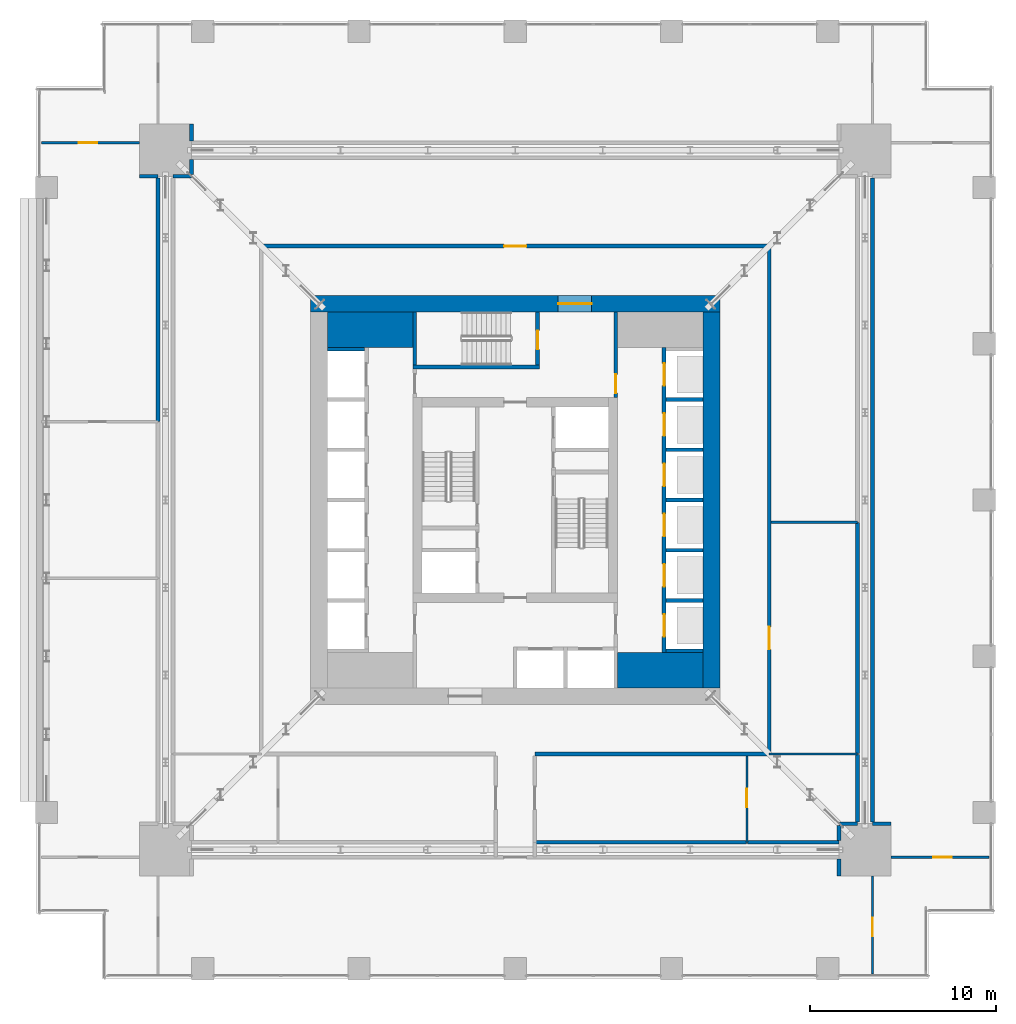
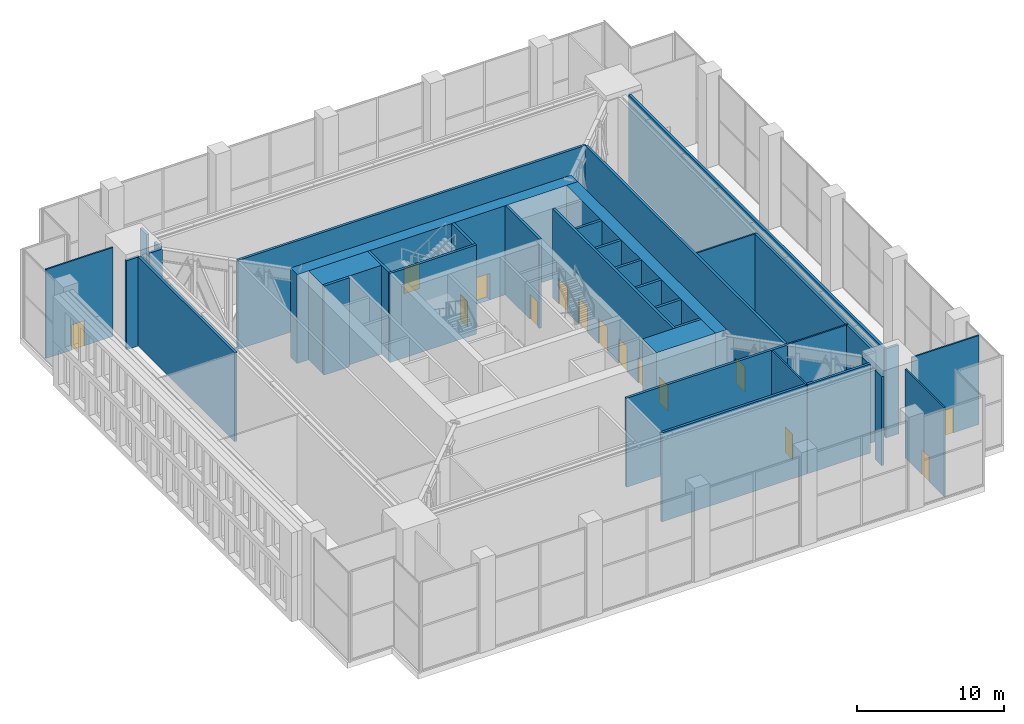
# One storey, part 17 of 21: 39 walls, 15 doors, 15 openings.
"""IFC4 building model written with IfcOpenShell, lengths in metres."""

from ifc_helpers import new_model, si_unit, direction, frame, frame_2d, origin, place, context, subcontext, project, spatial, rectangle, extrude, material, layer, layer_set, type_object, element, fill, save


model = new_model("IFC4")

# Units and contexts
model_context = context("Model", 3, precision=1e-05, world=origin(), true_north=direction((0.0, 1.0)))
body_context = subcontext(model_context, "Body", "Model", "MODEL_VIEW")
ifc_project = project(units=[si_unit("LENGTHUNIT", "METRE"), si_unit("AREAUNIT", "SQUARE_METRE"), si_unit("VOLUMEUNIT", "CUBIC_METRE"), si_unit("PLANEANGLEUNIT", "RADIAN"), si_unit("MASSUNIT", "GRAM", prefix="KILO")], contexts=[model_context])

# Site, building, storey
site_placement = place(None, origin())
site = spatial("IfcSite", under=ifc_project, at=site_placement, CompositionType="ELEMENT")
building_placement = place(site_placement, origin())
building = spatial("IfcBuilding", under=site, at=building_placement, Name="Khepri Terraces", CompositionType="ELEMENT")
storey_placement = place(building_placement, frame((0.0, 0.0, 126.0)))
storey = spatial("IfcBuildingStorey", under=building, at=storey_placement, Name="L30", CompositionType="ELEMENT", Elevation=126.0)

# Walls
ifc_material_1 = material(Name="Concrete C70/85", Category="concrete")
ifc_layer_1 = layer(ifc_material_1, 1.89990234375, Name="Concrete C70/85", Category="concrete")
ifc_layer_set_1 = layer_set([ifc_layer_1], Name="Concrete C70/85")
wall_type_1 = type_object("IfcWallType", Name="Core wall 1900 C70/85", PredefinedType="SHEAR", material=ifc_layer_set_1)
for number, where, z_axis, x_axis, name in (
    (1, (5.5, -9.14990234375, 0.0), (0.0, 0.0, 1.0), (1.0, 0.0, 0.0), "Core wall PR02 L30"),
    (2, (-10.10009765625, 9.14990234375, 0.0), (0.0, 0.0, 1.0), (1.0, 0.0, 0.0), "Core wall PR03 L30"),
):
    element("IfcWall", number, at=place(storey_placement, frame(where, z_axis=z_axis, x_axis=x_axis)), inside=storey, type_object=wall_type_1, Name=name, PredefinedType="SHEAR", context=body_context, shape_type="SweptSolid", body=[
        extrude(rectangle(XDim=4.60009765625, YDim=1.89990234375, at=frame_2d((2.300048828125, 0.0))), origin(), (0.0, 0.0, 1.0), 7.3798828125),
    ])
ifc_layer_2 = layer(ifc_material_1, 0.199951171875, Name="Concrete C70/85", Category="concrete")
ifc_layer_set_2 = layer_set([ifc_layer_2], Name="Concrete C70/85")
wall_type_2 = type_object("IfcWallType", Name="Core wall 200 C70/85", PredefinedType="SHEAR", material=ifc_layer_set_2)
wall_1_placement = place(storey_placement, frame((-5.5, 7.14990234375, 0.0), z_axis=(0.0, 0.0, 1.0), x_axis=(1.0, 0.0, 0.0)))
element("IfcWall", 3, at=wall_1_placement, inside=storey, type_object=wall_type_2, Name="Core wall ST05 L30", PredefinedType="SHEAR", context=body_context, shape_type="SweptSolid", body=[
    extrude(rectangle(XDim=6.800048828125, YDim=0.199951171875, at=frame_2d((3.39990234375, 0.0))), origin(), (0.0, 0.0, 1.0), 7.3798828125),
])
wall_2_placement = place(storey_placement, frame((-5.39990234375, 7.25, 0.0), z_axis=(0.0, 0.0, 1.0), x_axis=(0.0, 1.0, 0.0)))
element("IfcWall", 4, at=wall_2_placement, inside=storey, type_object=wall_type_2, Name="Core wall ST06 L30", PredefinedType="SHEAR", context=body_context, shape_type="SweptSolid", body=[
    extrude(rectangle(XDim=2.85009765625, YDim=0.199951171875, at=frame_2d((1.425048828125, 0.0))), origin(), (0.0, 0.0, 1.0), 7.3798828125),
])

# Wall, opening, door
wall_3_placement = place(storey_placement, frame((1.199951171875, 7.25, 0.0), z_axis=(0.0, 0.0, 1.0), x_axis=(0.0, 1.0, 0.0)))
wall_3 = element("IfcWall", 5, at=wall_3_placement, inside=storey, type_object=wall_type_2, Name="Core wall ST07 L30", PredefinedType="SHEAR", context=body_context, shape_type="SweptSolid", body=[
    extrude(rectangle(XDim=2.85009765625, YDim=0.199951171875, at=frame_2d((1.425048828125, 0.0))), origin(), (0.0, 0.0, 1.0), 7.3798828125),
])
opening_1_placement = place(wall_3_placement, frame((0.85009765625, 0.0, 0.0)))
opening_1 = element("IfcOpeningElement", 6, at=opening_1_placement, cuts=wall_3, Name="Opening L30-C23", PredefinedType="OPENING", context=body_context, shape_type="SweptSolid", body=[
    extrude(rectangle(XDim=1.0, YDim=2.10009765625, at=frame_2d((0.5, 1.050048828125))), frame((0.0, 0.10986328125, 0.0), z_axis=(0.0, -1.0, 0.0), x_axis=(1.0, 0.0, 0.0)), (0.0, 0.0, 1.0), 0.219970703125),
])
ifc_material_2 = material(Name="Painted steel", Category="steel")
door_type_1 = type_object("IfcDoorType", Name="DR-CORE-STAIR-1000", OperationType="NOTDEFINED", PredefinedType="DOOR", material=ifc_material_2)
door_1_placement = place(opening_1_placement, origin())
door_1 = element("IfcDoor", 7, at=door_1_placement, inside=storey, type_object=door_type_1, Name="Stair door L30-C23", OperationType="SINGLE_SWING_LEFT", OverallHeight=2.10009765625, OverallWidth=1.0, PredefinedType="DOOR", context=body_context, shape_type="SweptSolid", body=[
    extrude(rectangle(XDim=1.0, YDim=2.10009765625, at=frame_2d((0.5, 1.050048828125))), frame((0.0, 0.02490234375, 0.0), z_axis=(0.0, -1.0, 0.0), x_axis=(1.0, 0.0, 0.0)), (0.0, 0.0, 1.0), 0.050048828125),
])
fill(opening_1, door_1)

# Wall, openings, doors
wall_4_placement = place(storey_placement, frame((8.0, -8.199951171875, 0.0), z_axis=(0.0, 0.0, 1.0), x_axis=(0.0, 1.0, 0.0)))
wall_4 = element("IfcWall", 8, at=wall_4_placement, inside=storey, type_object=wall_type_2, Name="Core wall SH05 L30", PredefinedType="SHEAR", context=body_context, shape_type="SweptSolid", body=[
    extrude(rectangle(XDim=16.39990234375, YDim=0.199951171875, at=frame_2d((8.199951171875, 0.0))), origin(), (0.0, 0.0, 1.0), 7.3798828125),
])
opening_2_placement = place(wall_4_placement, frame((0.85009765625, 0.0, 0.0)))
opening_2 = element("IfcOpeningElement", 9, at=opening_2_placement, cuts=wall_4, Name="Opening L30-C02", PredefinedType="OPENING", context=body_context, shape_type="SweptSolid", body=[
    extrude(rectangle(XDim=1.199951171875, YDim=2.10009765625, at=frame_2d((0.60009765625, 1.050048828125))), frame((0.0, 0.10986328125, 0.0), z_axis=(0.0, -1.0, 0.0), x_axis=(1.0, 0.0, 0.0)), (0.0, 0.0, 1.0), 0.219970703125),
])
opening_3_placement = place(wall_4_placement, frame((3.550048828125, 0.0, 0.0)))
opening_3 = element("IfcOpeningElement", 10, at=opening_3_placement, cuts=wall_4, Name="Opening L30-C04", PredefinedType="OPENING", context=body_context, shape_type="SweptSolid", body=[
    extrude(rectangle(XDim=1.199951171875, YDim=2.10009765625, at=frame_2d((0.60009765625, 1.050048828125))), frame((0.0, 0.10986328125, 0.0), z_axis=(0.0, -1.0, 0.0), x_axis=(1.0, 0.0, 0.0)), (0.0, 0.0, 1.0), 0.219970703125),
])
opening_4_placement = place(wall_4_placement, frame((6.25, 0.0, 0.0)))
opening_4 = element("IfcOpeningElement", 11, at=opening_4_placement, cuts=wall_4, Name="Opening L30-C06", PredefinedType="OPENING", context=body_context, shape_type="SweptSolid", body=[
    extrude(rectangle(XDim=1.199951171875, YDim=2.10009765625, at=frame_2d((0.60009765625, 1.050048828125))), frame((0.0, 0.10986328125, 0.0), z_axis=(0.0, -1.0, 0.0), x_axis=(1.0, 0.0, 0.0)), (0.0, 0.0, 1.0), 0.219970703125),
])
opening_5_placement = place(wall_4_placement, frame((8.949951171875, 0.0, 0.0)))
opening_5 = element("IfcOpeningElement", 12, at=opening_5_placement, cuts=wall_4, Name="Opening L30-C08", PredefinedType="OPENING", context=body_context, shape_type="SweptSolid", body=[
    extrude(rectangle(XDim=1.199951171875, YDim=2.10009765625, at=frame_2d((0.60009765625, 1.050048828125))), frame((0.0, 0.10986328125, 0.0), z_axis=(0.0, -1.0, 0.0), x_axis=(1.0, 0.0, 0.0)), (0.0, 0.0, 1.0), 0.219970703125),
])
opening_6_placement = place(wall_4_placement, frame((11.64990234375, 0.0, 0.0)))
opening_6 = element("IfcOpeningElement", 13, at=opening_6_placement, cuts=wall_4, Name="Opening L30-C10", PredefinedType="OPENING", context=body_context, shape_type="SweptSolid", body=[
    extrude(rectangle(XDim=1.199951171875, YDim=2.10009765625, at=frame_2d((0.60009765625, 1.050048828125))), frame((0.0, 0.10986328125, 0.0), z_axis=(0.0, -1.0, 0.0), x_axis=(1.0, 0.0, 0.0)), (0.0, 0.0, 1.0), 0.219970703125),
])
opening_7_placement = place(wall_4_placement, frame((14.35009765625, 0.0, 0.0)))
opening_7 = element("IfcOpeningElement", 14, at=opening_7_placement, cuts=wall_4, Name="Opening L30-C12", PredefinedType="OPENING", context=body_context, shape_type="SweptSolid", body=[
    extrude(rectangle(XDim=1.199951171875, YDim=2.10009765625, at=frame_2d((0.60009765625, 1.050048828125))), frame((0.0, 0.10986328125, 0.0), z_axis=(0.0, -1.0, 0.0), x_axis=(1.0, 0.0, 0.0)), (0.0, 0.0, 1.0), 0.219970703125),
])
ifc_material_3 = material(Name="Stainless steel 304", Category="steel")
door_type_2 = type_object("IfcDoorType", Name="DR-CORE-LANDING-1200", OperationType="NOTDEFINED", PredefinedType="DOOR", material=ifc_material_3)
door_2_placement = place(opening_2_placement, origin())
door_2 = element("IfcDoor", 15, at=door_2_placement, inside=storey, type_object=door_type_2, Name="Lift landing door L30-C02", OperationType="SLIDING_TO_LEFT", OverallHeight=2.10009765625, OverallWidth=1.199951171875, PredefinedType="DOOR", context=body_context, shape_type="SweptSolid", body=[
    extrude(rectangle(XDim=1.199951171875, YDim=2.10009765625, at=frame_2d((0.60009765625, 1.050048828125))), frame((0.0, 0.02490234375, 0.0), z_axis=(0.0, -1.0, 0.0), x_axis=(1.0, 0.0, 0.0)), (0.0, 0.0, 1.0), 0.050048828125),
])
fill(opening_2, door_2)
door_3_placement = place(opening_3_placement, origin())
door_3 = element("IfcDoor", 16, at=door_3_placement, inside=storey, type_object=door_type_2, Name="Lift landing door L30-C04", OperationType="SLIDING_TO_LEFT", OverallHeight=2.10009765625, OverallWidth=1.199951171875, PredefinedType="DOOR", context=body_context, shape_type="SweptSolid", body=[
    extrude(rectangle(XDim=1.199951171875, YDim=2.10009765625, at=frame_2d((0.60009765625, 1.050048828125))), frame((0.0, 0.02490234375, 0.0), z_axis=(0.0, -1.0, 0.0), x_axis=(1.0, 0.0, 0.0)), (0.0, 0.0, 1.0), 0.050048828125),
])
fill(opening_3, door_3)
door_4_placement = place(opening_4_placement, origin())
door_4 = element("IfcDoor", 17, at=door_4_placement, inside=storey, type_object=door_type_2, Name="Lift landing door L30-C06", OperationType="SLIDING_TO_LEFT", OverallHeight=2.10009765625, OverallWidth=1.199951171875, PredefinedType="DOOR", context=body_context, shape_type="SweptSolid", body=[
    extrude(rectangle(XDim=1.199951171875, YDim=2.10009765625, at=frame_2d((0.60009765625, 1.050048828125))), frame((0.0, 0.02490234375, 0.0), z_axis=(0.0, -1.0, 0.0), x_axis=(1.0, 0.0, 0.0)), (0.0, 0.0, 1.0), 0.050048828125),
])
fill(opening_4, door_4)
door_5_placement = place(opening_5_placement, origin())
door_5 = element("IfcDoor", 18, at=door_5_placement, inside=storey, type_object=door_type_2, Name="Lift landing door L30-C08", OperationType="SLIDING_TO_LEFT", OverallHeight=2.10009765625, OverallWidth=1.199951171875, PredefinedType="DOOR", context=body_context, shape_type="SweptSolid", body=[
    extrude(rectangle(XDim=1.199951171875, YDim=2.10009765625, at=frame_2d((0.60009765625, 1.050048828125))), frame((0.0, 0.02490234375, 0.0), z_axis=(0.0, -1.0, 0.0), x_axis=(1.0, 0.0, 0.0)), (0.0, 0.0, 1.0), 0.050048828125),
])
fill(opening_5, door_5)
door_6_placement = place(opening_6_placement, origin())
door_6 = element("IfcDoor", 19, at=door_6_placement, inside=storey, type_object=door_type_2, Name="Lift landing door L30-C10", OperationType="SLIDING_TO_LEFT", OverallHeight=2.10009765625, OverallWidth=1.199951171875, PredefinedType="DOOR", context=body_context, shape_type="SweptSolid", body=[
    extrude(rectangle(XDim=1.199951171875, YDim=2.10009765625, at=frame_2d((0.60009765625, 1.050048828125))), frame((0.0, 0.02490234375, 0.0), z_axis=(0.0, -1.0, 0.0), x_axis=(1.0, 0.0, 0.0)), (0.0, 0.0, 1.0), 0.050048828125),
])
fill(opening_6, door_6)
door_7_placement = place(opening_7_placement, origin())
door_7 = element("IfcDoor", 20, at=door_7_placement, inside=storey, type_object=door_type_2, Name="Lift landing door L30-C12", OperationType="SLIDING_TO_LEFT", OverallHeight=2.10009765625, OverallWidth=1.199951171875, PredefinedType="DOOR", context=body_context, shape_type="SweptSolid", body=[
    extrude(rectangle(XDim=1.199951171875, YDim=2.10009765625, at=frame_2d((0.60009765625, 1.050048828125))), frame((0.0, 0.02490234375, 0.0), z_axis=(0.0, -1.0, 0.0), x_axis=(1.0, 0.0, 0.0)), (0.0, 0.0, 1.0), 0.050048828125),
])
fill(opening_7, door_7)

# Walls
for number, where, z_axis, x_axis, name in (
    (21, (8.10009765625, -8.10009765625, 0.0), (0.0, 0.0, 1.0), (1.0, 0.0, 0.0), "Core wall SH06 L30"),
    (22, (8.10009765625, -5.39990234375, 0.0), (0.0, 0.0, 1.0), (1.0, 0.0, 0.0), "Core wall SH11 L30"),
    (23, (8.10009765625, -2.699951171875, 0.0), (0.0, 0.0, 1.0), (1.0, 0.0, 0.0), "Core wall SH15 L30"),
    (24, (8.10009765625, 0.0, 0.0), (0.0, 0.0, 1.0), (1.0, 0.0, 0.0), "Core wall SH17 L30"),
    (25, (8.10009765625, 2.699951171875, 0.0), (0.0, 0.0, 1.0), (1.0, 0.0, 0.0), "Core wall SH21 L30"),
    (26, (8.10009765625, 5.39990234375, 0.0), (0.0, 0.0, 1.0), (1.0, 0.0, 0.0), "Core wall SH23 L30"),
    (27, (-10.10009765625, 8.10009765625, 0.0), (0.0, 0.0, 1.0), (1.0, 0.0, 0.0), "Core wall SH24 L30"),
):
    element("IfcWall", number, at=place(storey_placement, frame(where, z_axis=z_axis, x_axis=x_axis)), inside=storey, type_object=wall_type_2, Name=name, PredefinedType="SHEAR", context=body_context, shape_type="SweptSolid", body=[
        extrude(rectangle(XDim=2.0, YDim=0.199951171875, at=frame_2d((1.0, 0.0))), origin(), (0.0, 0.0, 1.0), 7.3798828125),
    ])

# Wall, opening, door
ifc_layer_3 = layer(ifc_material_1, 0.89990234375, Name="Concrete C70/85", Category="concrete")
ifc_layer_set_3 = layer_set([ifc_layer_3], Name="Concrete C70/85")
wall_type_3 = type_object("IfcWallType", Name="Core wall 900 C70/85", PredefinedType="SHEAR", material=ifc_layer_set_3)
wall_5_placement = place(storey_placement, frame((-11.0, 10.550048828125, 0.0), z_axis=(0.0, 0.0, 1.0), x_axis=(1.0, 0.0, 0.0)))
wall_5 = element("IfcWall", 28, at=wall_5_placement, inside=storey, type_object=wall_type_3, Name="Core wall OW-N L30", PredefinedType="SHEAR", context=body_context, shape_type="SweptSolid", body=[
    extrude(rectangle(XDim=22.0, YDim=0.89990234375, at=frame_2d((11.0, 0.0))), origin(), (0.0, 0.0, 1.0), 7.3798828125),
])
opening_8_placement = place(wall_5_placement, frame((13.300048828125, 0.0, 0.0)))
opening_8 = element("IfcOpeningElement", 29, at=opening_8_placement, cuts=wall_5, Name="Opening L30-C28", PredefinedType="OPENING", context=body_context, shape_type="SweptSolid", body=[
    extrude(rectangle(XDim=1.800048828125, YDim=2.199951171875, at=frame_2d((0.89990234375, 1.10009765625))), frame((0.0, 0.4599609375, 0.0), z_axis=(0.0, -1.0, 0.0), x_axis=(1.0, 0.0, 0.0)), (0.0, 0.0, 1.0), 0.919921875),
])
door_type_3 = type_object("IfcDoorType", Name="DR-CORE-ENTRANCE-1800", OperationType="NOTDEFINED", PredefinedType="DOOR", material=ifc_material_2)
door_8_placement = place(opening_8_placement, origin())
door_8 = element("IfcDoor", 30, at=door_8_placement, inside=storey, type_object=door_type_3, Name="Core entrance door pair L30-C28", OperationType="DOUBLE_DOOR_SINGLE_SWING", OverallHeight=2.199951171875, OverallWidth=1.800048828125, PredefinedType="DOOR", context=body_context, shape_type="SweptSolid", body=[
    extrude(rectangle(XDim=1.800048828125, YDim=2.199951171875, at=frame_2d((0.89990234375, 1.10009765625))), frame((0.0, 0.02490234375, 0.0), z_axis=(0.0, -1.0, 0.0), x_axis=(1.0, 0.0, 0.0)), (0.0, 0.0, 1.0), 0.050048828125),
])
fill(opening_8, door_8)

# Wall
wall_6_placement = place(storey_placement, frame((10.550048828125, -10.10009765625, 0.0), z_axis=(0.0, 0.0, 1.0), x_axis=(0.0, 1.0, 0.0)))
element("IfcWall", 31, at=wall_6_placement, inside=storey, type_object=wall_type_3, Name="Core wall OW-E L30", PredefinedType="SHEAR", context=body_context, shape_type="SweptSolid", body=[
    extrude(rectangle(XDim=20.2001953125, YDim=0.89990234375, at=frame_2d((10.10009765625, 0.0))), origin(), (0.0, 0.0, 1.0), 7.3798828125),
])

# Wall, opening, door
ifc_material_4 = material(Name="Fire-rated gypsum board partition")
ifc_layer_4 = layer(ifc_material_4, 0.199951171875, Name="Fire-rated gypsum board partition")
ifc_layer_set_4 = layer_set([ifc_layer_4], Name="Fire-rated gypsum board partition")
wall_type_4 = type_object("IfcWallType", Name="WL-CORE-PART-200", PredefinedType="PARTITIONING", material=ifc_layer_set_4)
wall_7_placement = place(storey_placement, frame((5.39990234375, 5.5, 0.0), z_axis=(0.0, 0.0, 1.0), x_axis=(0.0, 1.0, 0.0)))
wall_7 = element("IfcWall", 32, at=wall_7_placement, inside=storey, type_object=wall_type_4, Name="Core partition PT04 L30", PredefinedType="PARTITIONING", context=body_context, shape_type="SweptSolid", body=[
    extrude(rectangle(XDim=4.60009765625, YDim=0.199951171875, at=frame_2d((2.300048828125, 0.0))), origin(), (0.0, 0.0, 1.0), 7.3798828125),
])
opening_9_placement = place(wall_7_placement, frame((0.25, 0.0, 0.0)))
opening_9 = element("IfcOpeningElement", 33, at=opening_9_placement, cuts=wall_7, Name="Opening L30-C25", PredefinedType="OPENING", context=body_context, shape_type="SweptSolid", body=[
    extrude(rectangle(XDim=1.0, YDim=2.10009765625, at=frame_2d((0.5, 1.050048828125))), frame((0.0, 0.10986328125, 0.0), z_axis=(0.0, -1.0, 0.0), x_axis=(1.0, 0.0, 0.0)), (0.0, 0.0, 1.0), 0.219970703125),
])
door_type_4 = type_object("IfcDoorType", Name="DR-CORE-LOBBY-1000", OperationType="NOTDEFINED", PredefinedType="DOOR", material=ifc_material_2)
door_9_placement = place(opening_9_placement, origin())
door_9 = element("IfcDoor", 34, at=door_9_placement, inside=storey, type_object=door_type_4, Name="Lobby door L30-C25", OperationType="SINGLE_SWING_LEFT", OverallHeight=2.10009765625, OverallWidth=1.0, PredefinedType="DOOR", context=body_context, shape_type="SweptSolid", body=[
    extrude(rectangle(XDim=1.0, YDim=2.10009765625, at=frame_2d((0.5, 1.050048828125))), frame((0.0, 0.02490234375, 0.0), z_axis=(0.0, -1.0, 0.0), x_axis=(1.0, 0.0, 0.0)), (0.0, 0.0, 1.0), 0.050048828125),
])
fill(opening_9, door_9)

# Walls
ifc_material_5 = material(Name="Fire-rated gypsum plasterboard partition, mineral wool")
ifc_layer_5 = layer(ifc_material_5, 0.199951171875, Name="Fire-rated gypsum plasterboard partition, mineral wool")
ifc_layer_set_5 = layer_set([ifc_layer_5], Name="Fire-rated gypsum plasterboard partition, mineral wool")
wall_type_5 = type_object("IfcWallType", Name="WL-CORR-200", PredefinedType="PARTITIONING", material=ifc_layer_set_5)
wall_8_placement = place(storey_placement, frame((17.39990234375, -20.199951171875, 0.0), z_axis=(0.0, 0.0, 1.0), x_axis=(0.0, 1.0, 0.0)))
element("IfcWall", 35, at=wall_8_placement, inside=storey, type_object=wall_type_5, Name="Partition P-004 L30", PredefinedType="PARTITIONING", context=body_context, shape_type="SweptSolid", body=[
    extrude(rectangle(XDim=0.89990234375, YDim=0.199951171875, at=frame_2d((0.449951171875, 0.0))), origin(), (0.0, 0.0, 1.0), 7.3798828125),
])
wall_9_placement = place(storey_placement, frame((1.070068359375, -18.39990234375, 0.0), z_axis=(0.0, 0.0, 1.0), x_axis=(1.0, 0.0, 0.0)))
element("IfcWall", 36, at=wall_9_placement, inside=storey, type_object=wall_type_5, Name="Partition P-015 L30", PredefinedType="PARTITIONING", context=body_context, shape_type="SweptSolid", body=[
    extrude(rectangle(XDim=11.35986328125, YDim=0.199951171875, at=frame_2d((5.679931640625, 0.0))), origin(), (0.0, 0.0, 1.0), 7.3798828125),
])
wall_10_placement = place(storey_placement, frame((12.469970703125, -18.39990234375, 0.0), z_axis=(0.0, 0.0, 1.0), x_axis=(1.0, 0.0, 0.0)))
element("IfcWall", 37, at=wall_10_placement, inside=storey, type_object=wall_type_5, Name="Partition P-017 L30", PredefinedType="PARTITIONING", context=body_context, shape_type="SweptSolid", body=[
    extrude(rectangle(XDim=4.929931640625, YDim=0.199951171875, at=frame_2d((2.46484375, 0.0))), origin(), (0.0, 0.0, 1.0), 7.3798828125),
])
wall_11_placement = place(storey_placement, frame((17.39990234375, -18.300048828125, 0.0), z_axis=(0.0, 0.0, 1.0), x_axis=(0.0, 1.0, 0.0)))
element("IfcWall", 38, at=wall_11_placement, inside=storey, type_object=wall_type_5, Name="Partition P-019 L30", PredefinedType="PARTITIONING", context=body_context, shape_type="SweptSolid", body=[
    extrude(rectangle(XDim=0.800048828125, YDim=0.199951171875, at=frame_2d((0.39990234375, 0.0))), origin(), (0.0, 0.0, 1.0), 7.3798828125),
])
for number, where, z_axis, x_axis, name in (
    (39, (17.39990234375, -17.39990234375, 0.0), (0.0, 0.0, 1.0), (1.0, 0.0, 0.0), "Partition P-022 L30"),
    (40, (19.199951171875, -17.39990234375, 0.0), (0.0, 0.0, 1.0), (1.0, 0.0, 0.0), "Partition P-023 L30"),
):
    element("IfcWall", number, at=place(storey_placement, frame(where, z_axis=z_axis, x_axis=x_axis)), inside=storey, type_object=wall_type_5, Name=name, PredefinedType="PARTITIONING", context=body_context, shape_type="SweptSolid", body=[
        extrude(rectangle(XDim=1.0, YDim=0.199951171875, at=frame_2d((0.5, 0.0))), origin(), (0.0, 0.0, 1.0), 7.3798828125),
    ])
wall_12_placement = place(storey_placement, frame((18.39990234375, -17.300048828125, 0.0), z_axis=(0.0, 0.0, 1.0), x_axis=(0.0, 1.0, 0.0)))
element("IfcWall", 41, at=wall_12_placement, inside=storey, type_object=wall_type_5, Name="Partition P-026 L30", PredefinedType="PARTITIONING", context=body_context, shape_type="SweptSolid", body=[
    extrude(rectangle(XDim=3.630126953125, YDim=0.199951171875, at=frame_2d((1.81494140625, 0.0))), origin(), (0.0, 0.0, 1.0), 7.3798828125),
])
wall_13_placement = place(storey_placement, frame((19.199951171875, -17.300048828125, 0.0), z_axis=(0.0, 0.0, 1.0), x_axis=(0.0, 1.0, 0.0)))
element("IfcWall", 42, at=wall_13_placement, inside=storey, type_object=wall_type_5, Name="Partition P-027 L30", PredefinedType="PARTITIONING", context=body_context, shape_type="SweptSolid", body=[
    extrude(rectangle(XDim=34.60009765625, YDim=0.199951171875, at=frame_2d((17.300048828125, 0.0))), origin(), (0.0, 0.0, 1.0), 7.3798828125),
])
wall_14_placement = place(storey_placement, frame((1.050048828125, -13.64990234375, 0.0), z_axis=(0.0, 0.0, 1.0), x_axis=(1.0, 0.0, 0.0)))
element("IfcWall", 43, at=wall_14_placement, inside=storey, type_object=wall_type_5, Name="Partition P-030 L30", PredefinedType="PARTITIONING", context=body_context, shape_type="SweptSolid", body=[
    extrude(rectangle(XDim=12.599853515625, YDim=0.199951171875, at=frame_2d((6.2998046875, 0.0))), origin(), (0.0, 0.0, 1.0), 7.3798828125),
])
wall_15_placement = place(storey_placement, frame((18.39990234375, -13.6298828125, 0.0), z_axis=(0.0, 0.0, 1.0), x_axis=(0.0, 1.0, 0.0)))
element("IfcWall", 44, at=wall_15_placement, inside=storey, type_object=wall_type_5, Name="Partition P-033 L30", PredefinedType="PARTITIONING", context=body_context, shape_type="SweptSolid", body=[
    extrude(rectangle(XDim=12.409912109375, YDim=0.199951171875, at=frame_2d((6.205078125, 0.0))), origin(), (0.0, 0.0, 1.0), 7.3798828125),
])

# Wall, opening, door
wall_16_placement = place(storey_placement, frame((13.64990234375, -13.550048828125, 0.0), z_axis=(0.0, 0.0, 1.0), x_axis=(0.0, 1.0, 0.0)))
wall_16 = element("IfcWall", 45, at=wall_16_placement, inside=storey, type_object=wall_type_5, Name="Partition P-035 L30", PredefinedType="PARTITIONING", context=body_context, shape_type="SweptSolid", body=[
    extrude(rectangle(XDim=27.10009765625, YDim=0.199951171875, at=frame_2d((13.550048828125, 0.0))), origin(), (0.0, 0.0, 1.0), 7.3798828125),
])
opening_10_placement = place(wall_16_placement, frame((5.52490234375, 0.0, 0.0)))
opening_10 = element("IfcOpeningElement", 46, at=opening_10_placement, cuts=wall_16, Name="Opening D6", PredefinedType="OPENING", context=body_context, shape_type="SweptSolid", body=[
    extrude(rectangle(XDim=1.199951171875, YDim=2.10009765625, at=frame_2d((0.60009765625, 1.050048828125))), frame((0.0, 0.10986328125, 0.0), z_axis=(0.0, -1.0, 0.0), x_axis=(1.0, 0.0, 0.0)), (0.0, 0.0, 1.0), 0.219970703125),
])
ifc_material_6 = material(Name="Timber door leaf, public room, fire-rated", Category="wood")
door_type_5 = type_object("IfcDoorType", Name="DR-PUB-1200", OperationType="NOTDEFINED", PredefinedType="DOOR", material=ifc_material_6)
door_10_placement = place(opening_10_placement, frame((1.199951171875, 0.0, 0.0), z_axis=(0.0, 0.0, 1.0), x_axis=(-1.0, 0.0, 0.0)))
door_10 = element("IfcDoor", 47, at=door_10_placement, inside=storey, type_object=door_type_5, Name="Door Sky Pantry Kitchen", OperationType="SINGLE_SWING_RIGHT", OverallHeight=2.10009765625, OverallWidth=1.199951171875, PredefinedType="DOOR", context=body_context, shape_type="SweptSolid", body=[
    extrude(rectangle(XDim=1.199951171875, YDim=2.10009765625, at=frame_2d((0.60009765625, 1.050048828125))), frame((0.0, 0.02490234375, 0.0), z_axis=(0.0, -1.0, 0.0), x_axis=(1.0, 0.0, 0.0)), (0.0, 0.0, 1.0), 0.050048828125),
])
fill(opening_10, door_10)

# Wall
wall_17_placement = place(storey_placement, frame((-19.199951171875, 4.219970703125, 0.0), z_axis=(0.0, 0.0, 1.0), x_axis=(0.0, 1.0, 0.0)))
element("IfcWall", 48, at=wall_17_placement, inside=storey, type_object=wall_type_5, Name="Partition P-041 L30", PredefinedType="PARTITIONING", context=body_context, shape_type="SweptSolid", body=[
    extrude(rectangle(XDim=13.080078125, YDim=0.199951171875, at=frame_2d((6.5400390625, 0.0))), origin(), (0.0, 0.0, 1.0), 7.3798828125),
])

# Wall, opening, door
wall_18_placement = place(storey_placement, frame((-13.64990234375, 13.64990234375, 0.0), z_axis=(0.0, 0.0, 1.0), x_axis=(1.0, 0.0, 0.0)))
wall_18 = element("IfcWall", 49, at=wall_18_placement, inside=storey, type_object=wall_type_5, Name="Partition P-042 L30", PredefinedType="PARTITIONING", context=body_context, shape_type="SweptSolid", body=[
    extrude(rectangle(XDim=27.2998046875, YDim=0.199951171875, at=frame_2d((13.64990234375, 0.0))), origin(), (0.0, 0.0, 1.0), 7.3798828125),
])
opening_11_placement = place(wall_18_placement, frame((13.050048828125, 0.0, 0.0)))
opening_11 = element("IfcOpeningElement", 50, at=opening_11_placement, cuts=wall_18, Name="Opening D6", PredefinedType="OPENING", context=body_context, shape_type="SweptSolid", body=[
    extrude(rectangle(XDim=1.199951171875, YDim=2.10009765625, at=frame_2d((0.60009765625, 1.050048828125))), frame((0.0, 0.10986328125, 0.0), z_axis=(0.0, -1.0, 0.0), x_axis=(1.0, 0.0, 0.0)), (0.0, 0.0, 1.0), 0.219970703125),
])
door_11_placement = place(opening_11_placement, origin())
door_11 = element("IfcDoor", 51, at=door_11_placement, inside=storey, type_object=door_type_5, Name="Door Refuge Area", OperationType="SINGLE_SWING_RIGHT", OverallHeight=2.10009765625, OverallWidth=1.199951171875, PredefinedType="DOOR", context=body_context, shape_type="SweptSolid", body=[
    extrude(rectangle(XDim=1.199951171875, YDim=2.10009765625, at=frame_2d((0.60009765625, 1.050048828125))), frame((0.0, 0.02490234375, 0.0), z_axis=(0.0, -1.0, 0.0), x_axis=(1.0, 0.0, 0.0)), (0.0, 0.0, 1.0), 0.050048828125),
])
fill(opening_11, door_11)

# Walls
for number, where, z_axis, x_axis, name in (
    (52, (-20.199951171875, 17.39990234375, 0.0), (0.0, 0.0, 1.0), (1.0, 0.0, 0.0), "Partition P-043 L30"),
    (53, (-18.39990234375, 17.39990234375, 0.0), (0.0, 0.0, 1.0), (1.0, 0.0, 0.0), "Partition P-044 L30"),
):
    element("IfcWall", number, at=place(storey_placement, frame(where, z_axis=z_axis, x_axis=x_axis)), inside=storey, type_object=wall_type_5, Name=name, PredefinedType="PARTITIONING", context=body_context, shape_type="SweptSolid", body=[
        extrude(rectangle(XDim=1.0, YDim=0.199951171875, at=frame_2d((0.5, 0.0))), origin(), (0.0, 0.0, 1.0), 7.3798828125),
    ])
wall_19_placement = place(storey_placement, frame((-17.39990234375, 17.5, 0.0), z_axis=(0.0, 0.0, 1.0), x_axis=(0.0, 1.0, 0.0)))
element("IfcWall", 54, at=wall_19_placement, inside=storey, type_object=wall_type_5, Name="Partition P-047 L30", PredefinedType="PARTITIONING", context=body_context, shape_type="SweptSolid", body=[
    extrude(rectangle(XDim=0.800048828125, YDim=0.199951171875, at=frame_2d((0.39990234375, 0.0))), origin(), (0.0, 0.0, 1.0), 7.3798828125),
])
wall_20_placement = place(storey_placement, frame((-17.39990234375, 19.300048828125, 0.0), z_axis=(0.0, 0.0, 1.0), x_axis=(0.0, 1.0, 0.0)))
element("IfcWall", 55, at=wall_20_placement, inside=storey, type_object=wall_type_5, Name="Partition P-053 L30", PredefinedType="PARTITIONING", context=body_context, shape_type="SweptSolid", body=[
    extrude(rectangle(XDim=0.89990234375, YDim=0.199951171875, at=frame_2d((0.449951171875, 0.0))), origin(), (0.0, 0.0, 1.0), 7.3798828125),
])

# Wall, opening, door
ifc_material_7 = material(Name="Gypsum plasterboard partition")
ifc_layer_6 = layer(ifc_material_7, 0.1201171875, Name="Gypsum plasterboard partition")
ifc_layer_set_6 = layer_set([ifc_layer_6], Name="Gypsum plasterboard partition")
wall_type_6 = type_object("IfcWallType", Name="WL-PART-120", PredefinedType="PARTITIONING", material=ifc_layer_set_6)
wall_21_placement = place(storey_placement, frame((19.199951171875, -25.469970703125, 0.0), z_axis=(0.0, 0.0, 1.0), x_axis=(0.0, 1.0, 0.0)))
wall_21 = element("IfcWall", 56, at=wall_21_placement, inside=storey, type_object=wall_type_6, Name="Partition P-002 L30", PredefinedType="PARTITIONING", context=body_context, shape_type="SweptSolid", body=[
    extrude(rectangle(XDim=5.27001953125, YDim=0.1201171875, at=frame_2d((2.635009765625, 0.0))), origin(), (0.0, 0.0, 1.0), 7.3798828125),
])
opening_12_placement = place(wall_21_placement, frame((2.010009765625, 0.0, 0.0)))
opening_12 = element("IfcOpeningElement", 57, at=opening_12_placement, cuts=wall_21, Name="Opening D2", PredefinedType="OPENING", context=body_context, shape_type="SweptSolid", body=[
    extrude(rectangle(XDim=1.0, YDim=2.10009765625, at=frame_2d((0.5, 1.050048828125))), frame((0.0, 0.070068359375, 0.0), z_axis=(0.0, -1.0, 0.0), x_axis=(1.0, 0.0, 0.0)), (0.0, 0.0, 1.0), 0.14013671875),
])
ifc_material_8 = material(Name="Timber door leaf, living room door", Category="wood")
door_type_6 = type_object("IfcDoorType", Name="DR-INT-1000", OperationType="NOTDEFINED", PredefinedType="DOOR", material=ifc_material_8)
door_12_placement = place(opening_12_placement, frame((1.0, 0.0, 0.0), z_axis=(0.0, 0.0, 1.0), x_axis=(-1.0, 0.0, 0.0)))
door_12 = element("IfcDoor", 58, at=door_12_placement, inside=storey, type_object=door_type_6, Name="Door Private Dining Room", OperationType="SINGLE_SWING_RIGHT", OverallHeight=2.10009765625, OverallWidth=1.0, PredefinedType="DOOR", context=body_context, shape_type="SweptSolid", body=[
    extrude(rectangle(XDim=1.0, YDim=2.10009765625, at=frame_2d((0.5, 1.050048828125))), frame((0.0, 0.02490234375, 0.0), z_axis=(0.0, -1.0, 0.0), x_axis=(1.0, 0.0, 0.0)), (0.0, 0.0, 1.0), 0.050048828125),
])
fill(opening_12, door_12)

wall_22_placement = place(storey_placement, frame((20.199951171875, -19.199951171875, 0.0), z_axis=(0.0, 0.0, 1.0), x_axis=(1.0, 0.0, 0.0)))
wall_22 = element("IfcWall", 59, at=wall_22_placement, inside=storey, type_object=wall_type_6, Name="Partition P-007 L30", PredefinedType="PARTITIONING", context=body_context, shape_type="SweptSolid", body=[
    extrude(rectangle(XDim=5.27001953125, YDim=0.1201171875, at=frame_2d((2.635009765625, 0.0))), origin(), (0.0, 0.0, 1.0), 7.3798828125),
])
opening_13_placement = place(wall_22_placement, frame((2.260009765625, 0.0, 0.0)))
opening_13 = element("IfcOpeningElement", 60, at=opening_13_placement, cuts=wall_22, Name="Opening D2", PredefinedType="OPENING", context=body_context, shape_type="SweptSolid", body=[
    extrude(rectangle(XDim=1.0, YDim=2.10009765625, at=frame_2d((0.5, 1.050048828125))), frame((0.0, 0.070068359375, 0.0), z_axis=(0.0, -1.0, 0.0), x_axis=(1.0, 0.0, 0.0)), (0.0, 0.0, 1.0), 0.14013671875),
])
door_13_placement = place(opening_13_placement, origin())
door_13 = element("IfcDoor", 61, at=door_13_placement, inside=storey, type_object=door_type_6, Name="Door Fitness Studio", OperationType="SINGLE_SWING_RIGHT", OverallHeight=2.10009765625, OverallWidth=1.0, PredefinedType="DOOR", context=body_context, shape_type="SweptSolid", body=[
    extrude(rectangle(XDim=1.0, YDim=2.10009765625, at=frame_2d((0.5, 1.050048828125))), frame((0.0, 0.02490234375, 0.0), z_axis=(0.0, -1.0, 0.0), x_axis=(1.0, 0.0, 0.0)), (0.0, 0.0, 1.0), 0.050048828125),
])
fill(opening_13, door_13)

wall_23_placement = place(storey_placement, frame((12.449951171875, -18.39990234375, 0.0), z_axis=(0.0, 0.0, 1.0), x_axis=(0.0, 1.0, 0.0)))
wall_23 = element("IfcWall", 62, at=wall_23_placement, inside=storey, type_object=wall_type_6, Name="Partition P-016 L30", PredefinedType="PARTITIONING", context=body_context, shape_type="SweptSolid", body=[
    extrude(rectangle(XDim=4.64990234375, YDim=0.1201171875, at=frame_2d((2.324951171875, 0.0))), origin(), (0.0, 0.0, 1.0), 7.3798828125),
])
opening_14_placement = place(wall_23_placement, frame((1.875, 0.0, 0.0)))
opening_14 = element("IfcOpeningElement", 63, at=opening_14_placement, cuts=wall_23, Name="Opening D2", PredefinedType="OPENING", context=body_context, shape_type="SweptSolid", body=[
    extrude(rectangle(XDim=1.0, YDim=2.10009765625, at=frame_2d((0.5, 1.050048828125))), frame((0.0, 0.070068359375, 0.0), z_axis=(0.0, -1.0, 0.0), x_axis=(1.0, 0.0, 0.0)), (0.0, 0.0, 1.0), 0.14013671875),
])
door_14_placement = place(opening_14_placement, frame((1.0, 0.0, 0.0), z_axis=(0.0, 0.0, 1.0), x_axis=(-1.0, 0.0, 0.0)))
door_14 = element("IfcDoor", 64, at=door_14_placement, inside=storey, type_object=door_type_6, Name="Door Catering Kitchen", OperationType="SINGLE_SWING_LEFT", OverallHeight=2.10009765625, OverallWidth=1.0, PredefinedType="DOOR", context=body_context, shape_type="SweptSolid", body=[
    extrude(rectangle(XDim=1.0, YDim=2.10009765625, at=frame_2d((0.5, 1.050048828125))), frame((0.0, 0.02490234375, 0.0), z_axis=(0.0, -1.0, 0.0), x_axis=(1.0, 0.0, 0.0)), (0.0, 0.0, 1.0), 0.050048828125),
])
fill(opening_14, door_14)

# Walls
wall_24_placement = place(storey_placement, frame((13.64990234375, -13.64990234375, 0.0), z_axis=(0.0, 0.0, 1.0), x_axis=(1.0, 0.0, 0.0)))
element("IfcWall", 65, at=wall_24_placement, inside=storey, type_object=wall_type_6, Name="Partition P-031 L30", PredefinedType="PARTITIONING", context=body_context, shape_type="SweptSolid", body=[
    extrude(rectangle(XDim=4.75, YDim=0.1201171875, at=frame_2d((2.375, 0.0))), origin(), (0.0, 0.0, 1.0), 7.3798828125),
])
wall_25_placement = place(storey_placement, frame((13.75, -1.199951171875, 0.0), z_axis=(0.0, 0.0, 1.0), x_axis=(1.0, 0.0, 0.0)))
element("IfcWall", 66, at=wall_25_placement, inside=storey, type_object=wall_type_6, Name="Partition P-038 L30", PredefinedType="PARTITIONING", context=body_context, shape_type="SweptSolid", body=[
    extrude(rectangle(XDim=4.64990234375, YDim=0.1201171875, at=frame_2d((2.324951171875, 0.0))), origin(), (0.0, 0.0, 1.0), 7.3798828125),
])

# Wall, opening, door
wall_26_placement = place(storey_placement, frame((-25.469970703125, 19.199951171875, 0.0), z_axis=(0.0, 0.0, 1.0), x_axis=(1.0, 0.0, 0.0)))
wall_26 = element("IfcWall", 67, at=wall_26_placement, inside=storey, type_object=wall_type_6, Name="Partition P-050 L30", PredefinedType="PARTITIONING", context=body_context, shape_type="SweptSolid", body=[
    extrude(rectangle(XDim=5.27001953125, YDim=0.1201171875, at=frame_2d((2.635009765625, 0.0))), origin(), (0.0, 0.0, 1.0), 7.3798828125),
])
opening_15_placement = place(wall_26_placement, frame((2.010009765625, 0.0, 0.0)))
opening_15 = element("IfcOpeningElement", 68, at=opening_15_placement, cuts=wall_26, Name="Opening D2", PredefinedType="OPENING", context=body_context, shape_type="SweptSolid", body=[
    extrude(rectangle(XDim=1.0, YDim=2.10009765625, at=frame_2d((0.5, 1.050048828125))), frame((0.0, 0.070068359375, 0.0), z_axis=(0.0, -1.0, 0.0), x_axis=(1.0, 0.0, 0.0)), (0.0, 0.0, 1.0), 0.14013671875),
])
door_15_placement = place(opening_15_placement, frame((1.0, 0.0, 0.0), z_axis=(0.0, 0.0, 1.0), x_axis=(-1.0, 0.0, 0.0)))
door_15 = element("IfcDoor", 69, at=door_15_placement, inside=storey, type_object=door_type_6, Name="Door Bar Kitchen", OperationType="SINGLE_SWING_RIGHT", OverallHeight=2.10009765625, OverallWidth=1.0, PredefinedType="DOOR", context=body_context, shape_type="SweptSolid", body=[
    extrude(rectangle(XDim=1.0, YDim=2.10009765625, at=frame_2d((0.5, 1.050048828125))), frame((0.0, 0.02490234375, 0.0), z_axis=(0.0, -1.0, 0.0), x_axis=(1.0, 0.0, 0.0)), (0.0, 0.0, 1.0), 0.050048828125),
])
fill(opening_15, door_15)

save(model, "model.ifc")
